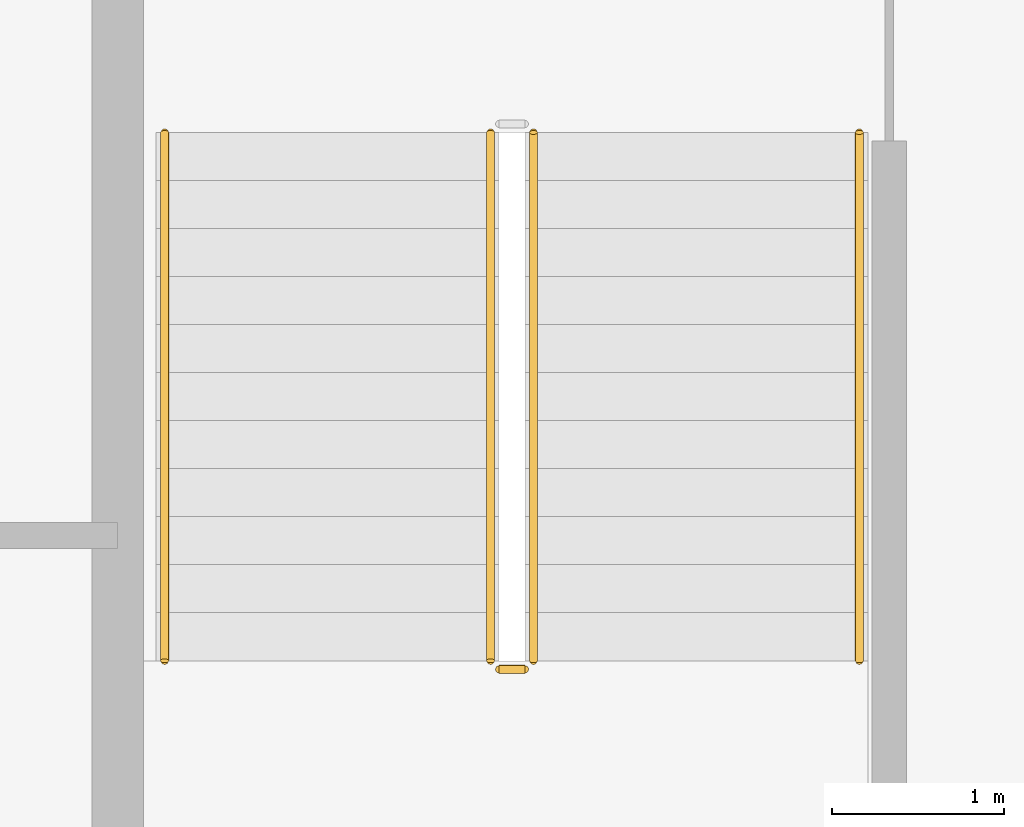
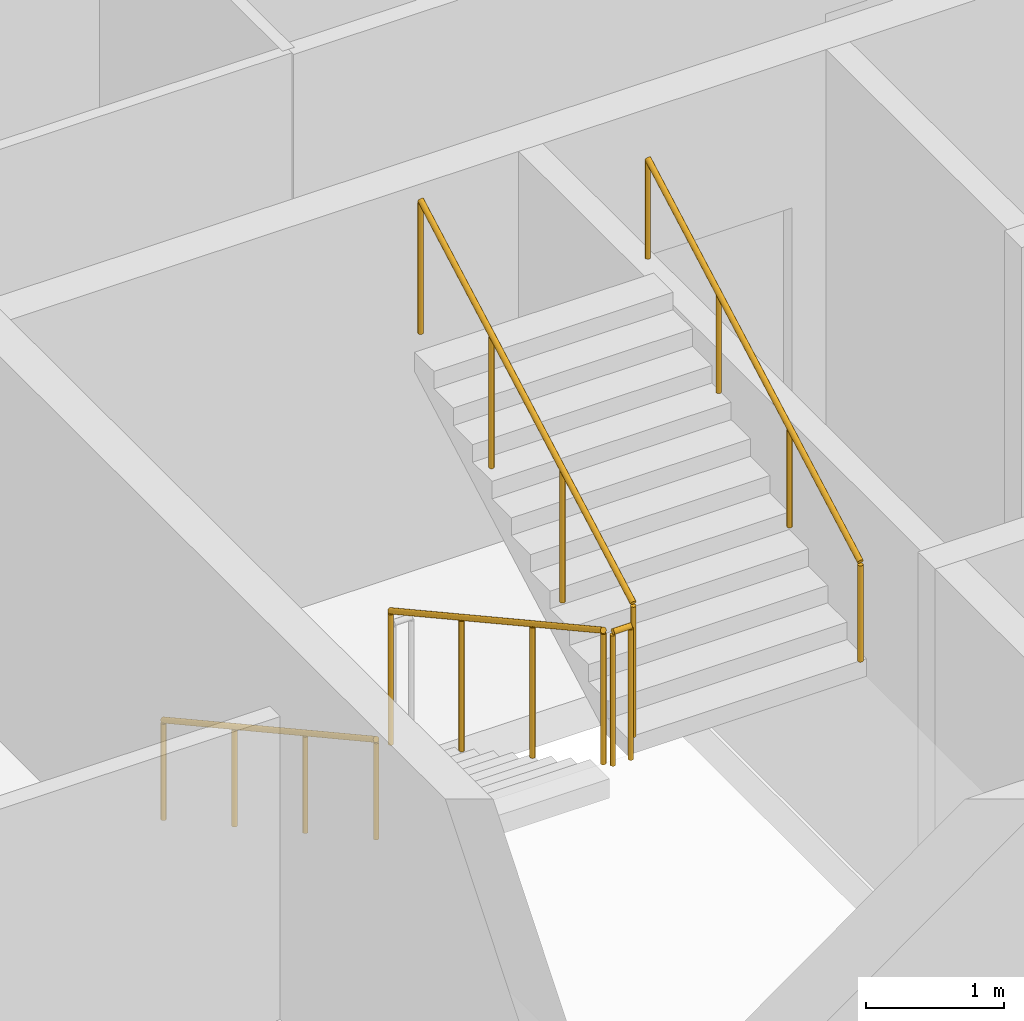
# One storey, part 10 of 12: 5 railings.
"""IFC4 building model written with IfcOpenShell, lengths in metres."""

from ifc_helpers import new_model, si_unit, direction, frame, origin, origin_2d, place, context, subcontext, project, spatial, circle, extrude, material, type_object, element, save


model = new_model("IFC4")

# Units and contexts
model_context = context("Model", 3, precision=1e-05, world=origin(), true_north=direction((0.0, 1.0)))
body_context = subcontext(model_context, "Body", "Model", "MODEL_VIEW")
ifc_project = project(units=[si_unit("LENGTHUNIT", "METRE"), si_unit("AREAUNIT", "SQUARE_METRE"), si_unit("VOLUMEUNIT", "CUBIC_METRE"), si_unit("PLANEANGLEUNIT", "RADIAN"), si_unit("MASSUNIT", "GRAM", prefix="KILO")], contexts=[model_context])

# Site, building, storey
site_placement = place(None, origin())
site = spatial("IfcSite", under=ifc_project, at=site_placement, CompositionType="ELEMENT")
building_placement = place(site_placement, origin())
building = spatial("IfcBuilding", under=site, at=building_placement, Name="Caravel Reach Hotel and Residences", CompositionType="ELEMENT")
storey_placement = place(building_placement, frame((0.0, 0.0, 241.60009765625)))
storey = spatial("IfcBuildingStorey", under=building, at=storey_placement, Name="L61", CompositionType="ELEMENT", Elevation=241.60009765625)

# Railings
ifc_material_1 = material(Name="Steel balustrade with glass infill", Category="steel")
railing_type_1 = type_object("IfcRailingType", Name="Guard 1200", PredefinedType="GUARDRAIL", material=ifc_material_1)
railing_1_placement = place(storey_placement, frame((20.175048828125, 29.35009765625, 0.154052734375)))
element("IfcRailing", 1, at=railing_1_placement, inside=storey, type_object=railing_type_1, Name="L61 ST-A stair guard 1", PredefinedType="GUARDRAIL", context=body_context, shape_type="SweptSolid", body=[
    extrude(circle(Radius=0.02392578125, at=origin_2d()), frame((0.0, 0.0, 1.17578125), z_axis=(0.0, -0.876004717809, 0.482302534076), x_axis=(1.0, 0.0, 0.0)), (0.0, 0.0, 1.0), 3.51611328125),
    extrude(circle(Radius=0.02099609375, at=origin_2d()), origin(), (0.0, 0.0, 1.0), 1.15185546875),
    extrude(circle(Radius=0.02099609375, at=origin_2d()), frame((0.0, -1.026611328125, 0.565185546875)), (0.0, 0.0, 1.0), 1.15185546875),
    extrude(circle(Radius=0.02099609375, at=origin_2d()), frame((0.0, -2.053466796875, 1.130615234375)), (0.0, 0.0, 1.0), 1.15185546875),
    extrude(circle(Radius=0.02099609375, at=origin_2d()), frame((0.0, -3.080078125, 1.69580078125)), (0.0, 0.0, 1.0), 1.15185546875),
])
railing_2_placement = place(storey_placement, frame((20.22509765625, 26.219970703125, 1.849853515625)))
element("IfcRailing", 2, at=railing_2_placement, inside=storey, type_object=railing_type_1, Name="L61 ST-A stair guard 2", PredefinedType="GUARDRAIL", context=body_context, shape_type="SweptSolid", body=[
    extrude(circle(Radius=0.02392578125, at=origin_2d()), frame((0.0, 0.0, 1.17578125), z_axis=(1.0, 0.0, 0.0), x_axis=(0.0, 1.0, 0.0)), (0.0, 0.0, 1.0), 0.14990234375),
    extrude(circle(Radius=0.02099609375, at=origin_2d()), origin(), (0.0, 0.0, 1.0), 1.15185546875),
    extrude(circle(Radius=0.02099609375, at=origin_2d()), frame((0.14990234375, 0.0, 0.0)), (0.0, 0.0, 1.0), 1.15185546875),
])
railing_3_placement = place(storey_placement, frame((20.425048828125, 26.27001953125, 2.004150390625)))
element("IfcRailing", 3, at=railing_3_placement, inside=storey, type_object=railing_type_1, Name="L61 ST-A stair guard 3", PredefinedType="GUARDRAIL", context=body_context, shape_type="SweptSolid", body=[
    extrude(circle(Radius=0.02392578125, at=origin_2d()), frame((0.0, 0.0, 1.17578125), z_axis=(0.0, 0.876004717809, 0.482302534076), x_axis=(-1.0, 0.0, 0.0)), (0.0, 0.0, 1.0), 3.51611328125),
    extrude(circle(Radius=0.02099609375, at=origin_2d()), origin(), (0.0, 0.0, 1.0), 1.15185546875),
    extrude(circle(Radius=0.02099609375, at=origin_2d()), frame((0.0, 1.026611328125, 0.565185546875)), (0.0, 0.0, 1.0), 1.15185546875),
    extrude(circle(Radius=0.02099609375, at=origin_2d()), frame((0.0, 2.053466796875, 1.130615234375)), (0.0, 0.0, 1.0), 1.15185546875),
    extrude(circle(Radius=0.02099609375, at=origin_2d()), frame((0.0, 3.080078125, 1.69580078125)), (0.0, 0.0, 1.0), 1.15185546875),
])
ifc_material_2 = material(Name="Stainless steel handrail", Category="steel")
railing_type_2 = type_object("IfcRailingType", Name="Handrail 900", PredefinedType="HANDRAIL", material=ifc_material_2)
railing_4_placement = place(storey_placement, frame((18.27490234375, 29.35009765625, 0.154052734375)))
element("IfcRailing", 4, at=railing_4_placement, inside=storey, type_object=railing_type_2, Name="L61 ST-A stair handrail 1", PredefinedType="HANDRAIL", context=body_context, shape_type="SweptSolid", body=[
    extrude(circle(Radius=0.02392578125, at=origin_2d()), frame((0.0, 0.0, 0.8759765625), z_axis=(0.0, -0.876004717809, 0.482302534076), x_axis=(1.0, 0.0, 0.0)), (0.0, 0.0, 1.0), 3.51611328125),
    extrude(circle(Radius=0.02099609375, at=origin_2d()), origin(), (0.0, 0.0, 1.0), 0.851806640625),
    extrude(circle(Radius=0.02099609375, at=origin_2d()), frame((0.0, -1.026611328125, 0.565185546875)), (0.0, 0.0, 1.0), 0.851806640625),
    extrude(circle(Radius=0.02099609375, at=origin_2d()), frame((0.0, -2.053466796875, 1.130615234375)), (0.0, 0.0, 1.0), 0.851806640625),
    extrude(circle(Radius=0.02099609375, at=origin_2d()), frame((0.0, -3.080078125, 1.69580078125)), (0.0, 0.0, 1.0), 0.851806640625),
])
railing_5_placement = place(storey_placement, frame((22.324951171875, 26.27001953125, 2.004150390625)))
element("IfcRailing", 5, at=railing_5_placement, inside=storey, type_object=railing_type_2, Name="L61 ST-A stair handrail 2", PredefinedType="HANDRAIL", context=body_context, shape_type="SweptSolid", body=[
    extrude(circle(Radius=0.02392578125, at=origin_2d()), frame((0.0, 0.0, 0.8759765625), z_axis=(0.0, 0.876004717809, 0.482302534076), x_axis=(-1.0, 0.0, 0.0)), (0.0, 0.0, 1.0), 3.51611328125),
    extrude(circle(Radius=0.02099609375, at=origin_2d()), origin(), (0.0, 0.0, 1.0), 0.851806640625),
    extrude(circle(Radius=0.02099609375, at=origin_2d()), frame((0.0, 1.026611328125, 0.565185546875)), (0.0, 0.0, 1.0), 0.851806640625),
    extrude(circle(Radius=0.02099609375, at=origin_2d()), frame((0.0, 2.053466796875, 1.130615234375)), (0.0, 0.0, 1.0), 0.851806640625),
    extrude(circle(Radius=0.02099609375, at=origin_2d()), frame((0.0, 3.080078125, 1.69580078125)), (0.0, 0.0, 1.0), 0.851806640625),
])

save(model, "model.ifc")
